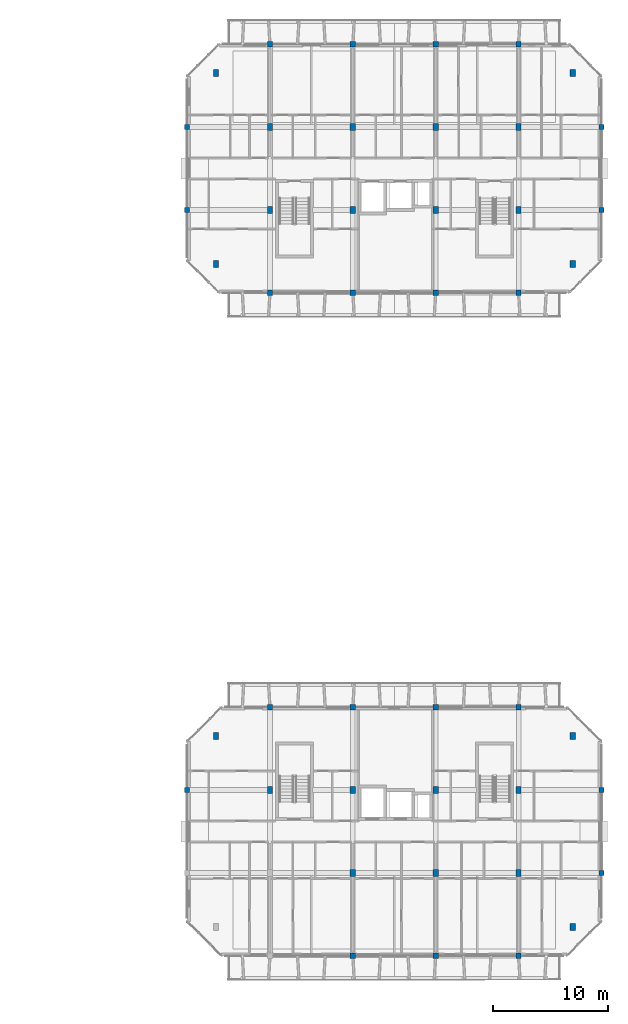
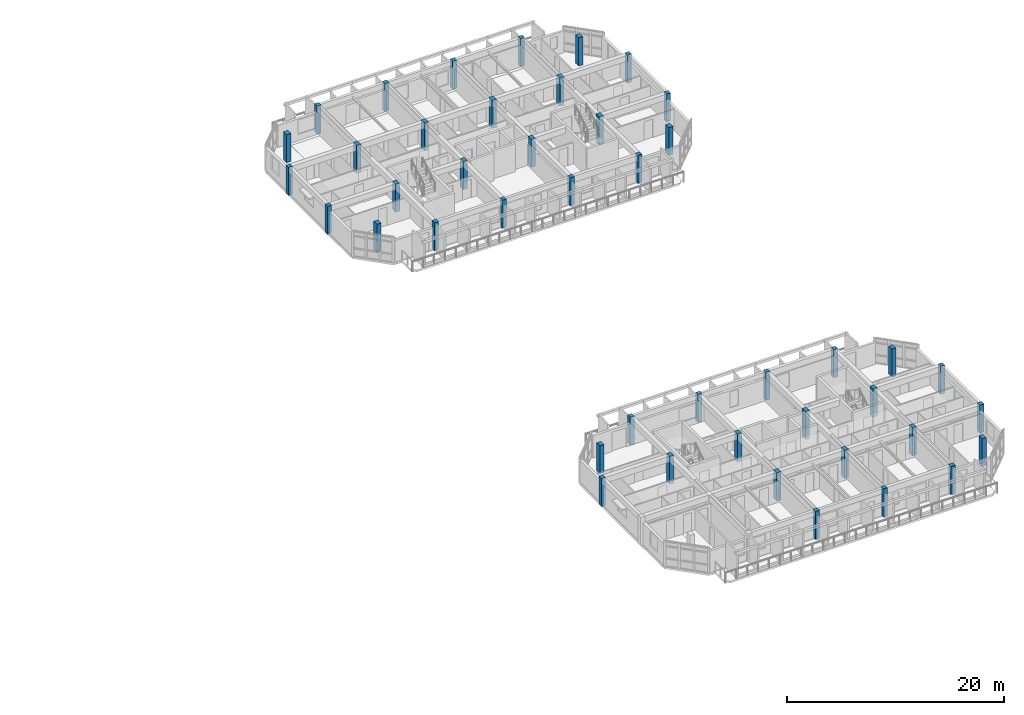
# One storey, part 2 of 30: 44 columns.
"""IFC4 building model written with IfcOpenShell, lengths in metres."""

from ifc_helpers import new_model, si_unit, direction, frame, origin, origin_2d, place, context, subcontext, project, spatial, rectangle, extrude, material, material_profile, profile_set, type_object, element, save


model = new_model("IFC4")

# Units and contexts
model_context = context("Model", 3, precision=1e-05, world=origin(), true_north=direction((0.0, 1.0)))
body_context = subcontext(model_context, "Body", "Model", "MODEL_VIEW")
ifc_project = project(units=[si_unit("LENGTHUNIT", "METRE"), si_unit("AREAUNIT", "SQUARE_METRE"), si_unit("VOLUMEUNIT", "CUBIC_METRE"), si_unit("PLANEANGLEUNIT", "RADIAN"), si_unit("MASSUNIT", "GRAM", prefix="KILO")], contexts=[model_context])

# Site, building, storey
site_placement = place(None, origin())
site = spatial("IfcSite", under=ifc_project, at=site_placement, CompositionType="ELEMENT")
building_placement = place(site_placement, origin())
building = spatial("IfcBuilding", under=site, at=building_placement, Name="Ochrevale Crest", CompositionType="ELEMENT")
storey_placement = place(building_placement, frame((0.0, 0.0, 33.89990234375)))
storey = spatial("IfcBuildingStorey", under=building, at=storey_placement, Name="L10", CompositionType="ELEMENT", Elevation=33.89990234375)

# Columns
ifc_material_1 = material(Name="Precast concrete C40/50", Category="concrete")
ifc_material_profile_1 = material_profile(ifc_material_1, rectangle(XDim=0.449951171875, YDim=0.449951171875, at=origin_2d()), Name="RC 450x450")
ifc_profile_set_1 = profile_set([ifc_material_profile_1], Name="Precast concrete C40/50")
column_type_1 = type_object("IfcColumnType", Name="COL-RC450x450", PredefinedType="COLUMN", material=ifc_profile_set_1)
for number, where, z_axis, x_axis, name in (
    (1, (129.60009765625, 28.800048828125, 0.0), (0.0, 0.0, 1.0), (1.0, 0.0, 0.0), "Block C L10 column (129.6,28.8)"),
    (2, (136.800048828125, 36.0, 0.0), (0.0, 0.0, 1.0), (1.0, 0.0, 0.0), "Block C L10 column (136.8,36.0)"),
    (3, (144.0, 14.39990234375, 0.0), (0.0, 0.0, 1.0), (1.0, 0.0, 0.0), "Block C L10 column (144.0,14.4)"),
    (4, (144.0, 36.0, 0.0), (0.0, 0.0, 1.0), (1.0, 0.0, 0.0), "Block C L10 column (144.0,36.0)"),
    (5, (151.199951171875, 14.39990234375, 0.0), (0.0, 0.0, 1.0), (1.0, 0.0, 0.0), "Block C L10 column (151.2,14.4)"),
    (6, (151.199951171875, 36.0, 0.0), (0.0, 0.0, 1.0), (1.0, 0.0, 0.0), "Block C L10 column (151.2,36.0)"),
    (7, (158.39990234375, 14.39990234375, 0.0), (0.0, 0.0, 1.0), (1.0, 0.0, 0.0), "Block C L10 column (158.4,14.4)"),
    (8, (158.39990234375, 36.0, 0.0), (0.0, 0.0, 1.0), (1.0, 0.0, 0.0), "Block C L10 column (158.4,36.0)"),
    (9, (165.60009765625, 21.60009765625, 0.0), (0.0, 0.0, 1.0), (1.0, 0.0, 0.0), "Block C L10 column (165.6,21.6)"),
    (10, (165.60009765625, 28.800048828125, 0.0), (0.0, 0.0, 1.0), (1.0, 0.0, 0.0), "Block C L10 column (165.6,28.8)"),
    (11, (129.60009765625, 79.199951171875, 0.0), (0.0, 0.0, 1.0), (1.0, 0.0, 0.0), "Block D L10 column (129.6,79.2)"),
    (12, (129.60009765625, 86.39990234375, 0.0), (0.0, 0.0, 1.0), (1.0, 0.0, 0.0), "Block D L10 column (129.6,86.4)"),
    (13, (136.800048828125, 72.0, 0.0), (0.0, 0.0, 1.0), (1.0, 0.0, 0.0), "Block D L10 column (136.8,72.0)"),
    (14, (136.800048828125, 93.60009765625, 0.0), (0.0, 0.0, 1.0), (1.0, 0.0, 0.0), "Block D L10 column (136.8,93.6)"),
    (15, (144.0, 72.0, 0.0), (0.0, 0.0, 1.0), (1.0, 0.0, 0.0), "Block D L10 column (144.0,72.0)"),
    (16, (144.0, 93.60009765625, 0.0), (0.0, 0.0, 1.0), (1.0, 0.0, 0.0), "Block D L10 column (144.0,93.6)"),
    (17, (151.199951171875, 72.0, 0.0), (0.0, 0.0, 1.0), (1.0, 0.0, 0.0), "Block D L10 column (151.2,72.0)"),
    (18, (151.199951171875, 93.60009765625, 0.0), (0.0, 0.0, 1.0), (1.0, 0.0, 0.0), "Block D L10 column (151.2,93.6)"),
    (19, (158.39990234375, 72.0, 0.0), (0.0, 0.0, 1.0), (1.0, 0.0, 0.0), "Block D L10 column (158.4,72.0)"),
    (20, (158.39990234375, 93.60009765625, 0.0), (0.0, 0.0, 1.0), (1.0, 0.0, 0.0), "Block D L10 column (158.4,93.6)"),
    (21, (165.60009765625, 79.199951171875, 0.0), (0.0, 0.0, 1.0), (1.0, 0.0, 0.0), "Block D L10 column (165.6,79.2)"),
    (22, (165.60009765625, 86.39990234375, 0.0), (0.0, 0.0, 1.0), (1.0, 0.0, 0.0), "Block D L10 column (165.6,86.4)"),
):
    element("IfcColumn", number, at=place(storey_placement, frame(where, z_axis=z_axis, x_axis=x_axis)), inside=storey, type_object=column_type_1, Name=name, PredefinedType="COLUMN", context=body_context, shape_type="SweptSolid", body=[
        extrude(rectangle(XDim=0.449951171875, YDim=0.449951171875, at=origin_2d()), origin(), (0.0, 0.0, 1.0), 3.150146484375),
    ])
ifc_material_2 = material(Name="Precast concrete C50/60", Category="concrete")
ifc_material_profile_2 = material_profile(ifc_material_2, rectangle(XDim=0.449951171875, YDim=0.60009765625, at=origin_2d()), Name="RC 450x600")
ifc_profile_set_2 = profile_set([ifc_material_profile_2], Name="Precast concrete C50/60")
column_type_2 = type_object("IfcColumnType", Name="COL-RC450x600", PredefinedType="COLUMN", material=ifc_profile_set_2)
for number, where, z_axis, x_axis, name in (
    (23, (132.10009765625, 33.5, 0.0), (0.0, 0.0, 1.0), (1.0, 0.0, 0.0), "Block C L10 column (132.1,33.5)"),
    (24, (136.800048828125, 28.800048828125, 0.0), (0.0, 0.0, 1.0), (1.0, 0.0, 0.0), "Block C L10 column (136.8,28.8)"),
    (25, (144.0, 21.60009765625, 0.0), (0.0, 0.0, 1.0), (1.0, 0.0, 0.0), "Block C L10 column (144.0,21.6)"),
    (26, (144.0, 28.800048828125, 0.0), (0.0, 0.0, 1.0), (1.0, 0.0, 0.0), "Block C L10 column (144.0,28.8)"),
    (27, (151.199951171875, 21.60009765625, 0.0), (0.0, 0.0, 1.0), (1.0, 0.0, 0.0), "Block C L10 column (151.2,21.6)"),
    (28, (151.199951171875, 28.800048828125, 0.0), (0.0, 0.0, 1.0), (1.0, 0.0, 0.0), "Block C L10 column (151.2,28.8)"),
    (29, (158.39990234375, 21.60009765625, 0.0), (0.0, 0.0, 1.0), (1.0, 0.0, 0.0), "Block C L10 column (158.4,21.6)"),
    (30, (158.39990234375, 28.800048828125, 0.0), (0.0, 0.0, 1.0), (1.0, 0.0, 0.0), "Block C L10 column (158.4,28.8)"),
    (31, (163.10009765625, 16.89990234375, 0.0), (0.0, 0.0, 1.0), (1.0, 0.0, 0.0), "Block C L10 column (163.1,16.9)"),
    (32, (163.10009765625, 33.5, 0.0), (0.0, 0.0, 1.0), (1.0, 0.0, 0.0), "Block C L10 column (163.1,33.5)"),
    (33, (132.10009765625, 74.5, 0.0), (0.0, 0.0, 1.0), (1.0, 0.0, 0.0), "Block D L10 column (132.1,74.5)"),
    (34, (132.10009765625, 91.10009765625, 0.0), (0.0, 0.0, 1.0), (1.0, 0.0, 0.0), "Block D L10 column (132.1,91.1)"),
    (35, (136.800048828125, 79.199951171875, 0.0), (0.0, 0.0, 1.0), (1.0, 0.0, 0.0), "Block D L10 column (136.8,79.2)"),
    (36, (136.800048828125, 86.39990234375, 0.0), (0.0, 0.0, 1.0), (1.0, 0.0, 0.0), "Block D L10 column (136.8,86.4)"),
    (37, (144.0, 79.199951171875, 0.0), (0.0, 0.0, 1.0), (1.0, 0.0, 0.0), "Block D L10 column (144.0,79.2)"),
    (38, (144.0, 86.39990234375, 0.0), (0.0, 0.0, 1.0), (1.0, 0.0, 0.0), "Block D L10 column (144.0,86.4)"),
    (39, (151.199951171875, 79.199951171875, 0.0), (0.0, 0.0, 1.0), (1.0, 0.0, 0.0), "Block D L10 column (151.2,79.2)"),
    (40, (151.199951171875, 86.39990234375, 0.0), (0.0, 0.0, 1.0), (1.0, 0.0, 0.0), "Block D L10 column (151.2,86.4)"),
    (41, (158.39990234375, 79.199951171875, 0.0), (0.0, 0.0, 1.0), (1.0, 0.0, 0.0), "Block D L10 column (158.4,79.2)"),
    (42, (158.39990234375, 86.39990234375, 0.0), (0.0, 0.0, 1.0), (1.0, 0.0, 0.0), "Block D L10 column (158.4,86.4)"),
    (43, (163.10009765625, 74.5, 0.0), (0.0, 0.0, 1.0), (1.0, 0.0, 0.0), "Block D L10 column (163.1,74.5)"),
    (44, (163.10009765625, 91.10009765625, 0.0), (0.0, 0.0, 1.0), (1.0, 0.0, 0.0), "Block D L10 column (163.1,91.1)"),
):
    element("IfcColumn", number, at=place(storey_placement, frame(where, z_axis=z_axis, x_axis=x_axis)), inside=storey, type_object=column_type_2, Name=name, PredefinedType="COLUMN", context=body_context, shape_type="SweptSolid", body=[
        extrude(rectangle(XDim=0.449951171875, YDim=0.60009765625, at=origin_2d()), origin(), (0.0, 0.0, 1.0), 3.150146484375),
    ])

save(model, "model.ifc")
